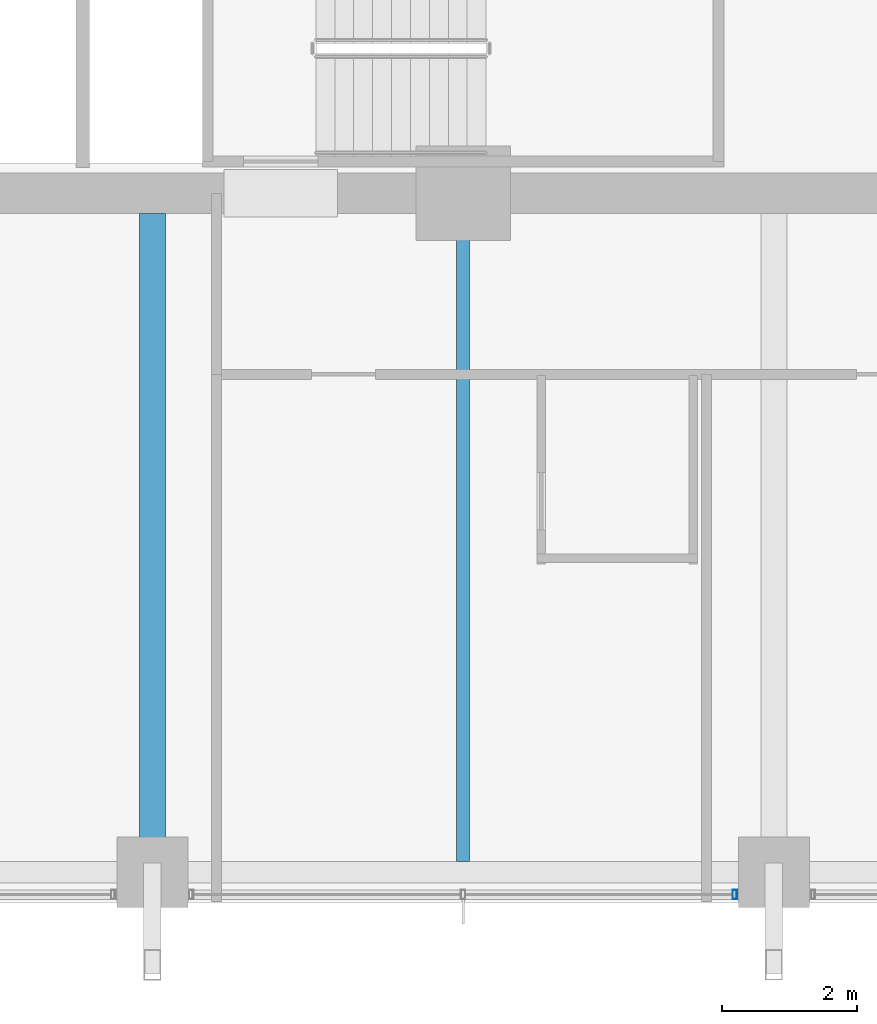
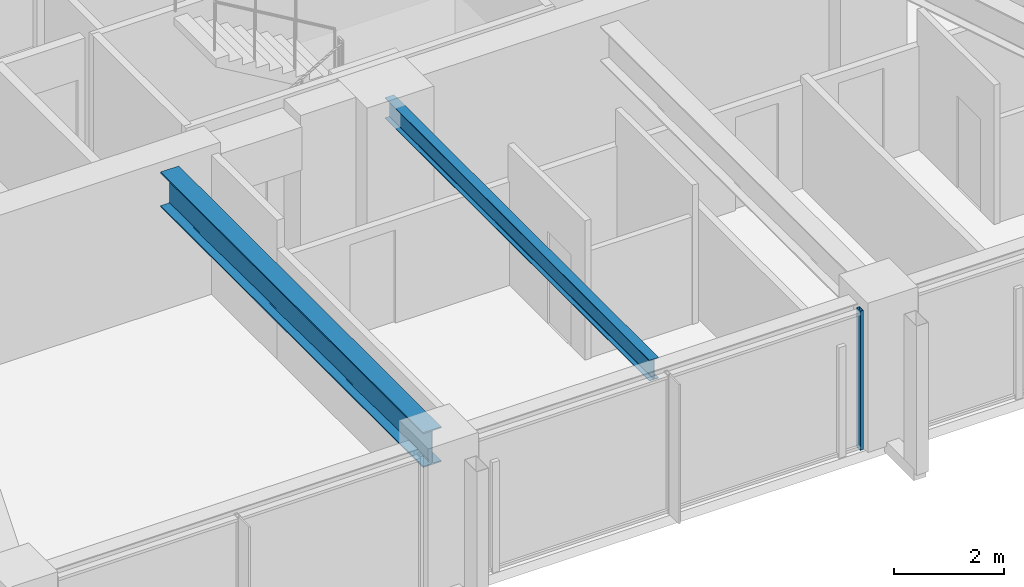
# One storey, part 5 of 37: 2 beams, 1 member, 1 element without a shape of its own.
"""IFC4 building model written with IfcOpenShell, lengths in metres."""

import ifcopenshell
import ifcopenshell.guid

model = None  # the IFC model being written
_history = None  # IfcOwnerHistory: only IFC2X3 demands one
_inside = {}  # id of a spatial element -> (the spatial element, [elements in it])
_under = {}  # id of a project, library or spatial element -> (it, [spatial elements below it])
_declared = {}  # id of a project -> (the project, [libraries it declares])
_typed = {}  # id of a type object -> (the type object, [elements of that type])
_made_of = {}  # id of a material, layer set ... -> (it, [elements and type objects made of it])


def new_model(schema):
    """Start an empty IFC model of exactly this schema.

    Asked for "IFC4X3", IfcOpenShell would pick the latest addendum, in which some entities
    have other attributes; the version numbers below select the first issue.
    IFC2X3 requires an IfcOwnerHistory on every rooted entity: one is made here for all.
    """
    global model, _history
    if schema == "IFC4X3":
        model = ifcopenshell.file(schema_version=(4, 3, 0, 0))
    else:
        model = ifcopenshell.file(schema=schema)
    _inside.clear()
    _under.clear()
    _declared.clear()
    _typed.clear()
    _made_of.clear()
    _history = None
    if model.schema == "IFC2X3":
        org = make("IfcOrganization", Name="unknown")
        user = make(
            "IfcPersonAndOrganization",
            ThePerson=make("IfcPerson", FamilyName="unknown"),
            TheOrganization=org,
        )
        app = make(
            "IfcApplication",
            ApplicationDeveloper=org,
            Version="unknown",
            ApplicationFullName="unknown",
            ApplicationIdentifier="unknown",
        )
        _history = make(
            "IfcOwnerHistory",
            OwningUser=user,
            OwningApplication=app,
            ChangeAction="ADDED",
            CreationDate=0,
        )
    return model


def make(cls, **values):
    """One entity of the class cls with the attributes given. An attribute that is None is left unset."""
    return model.create_entity(
        cls, **{name: value for name, value in values.items() if value is not None}
    )


def rooted(cls, **values):
    """An entity with a GlobalId (a new one), such as an element, a storey or a relation."""
    return make(cls, GlobalId=ifcopenshell.guid.new(), OwnerHistory=_history, **values)


def si_unit(unit_type, name, prefix=None):
    """IfcSIUnit, for example si_unit("LENGTHUNIT", "METRE", prefix="MILLI")."""
    return make("IfcSIUnit", UnitType=unit_type, Prefix=prefix, Name=name)


def assignment(units):
    """IfcUnitAssignment: the units of a project."""
    return None if units is None else make("IfcUnitAssignment", Units=units)


def point(xyz):
    """IfcCartesianPoint."""
    return None if xyz is None else make("IfcCartesianPoint", Coordinates=xyz)


def direction(xyz):
    """IfcDirection."""
    return None if xyz is None else make("IfcDirection", DirectionRatios=xyz)


def frame(location, z_axis=None, x_axis=None):
    """IfcAxis2Placement3D, a coordinate frame: its origin and axes. An axis left out is left unset."""
    return make(
        "IfcAxis2Placement3D",
        Location=point(location),
        Axis=direction(z_axis),
        RefDirection=direction(x_axis),
    )


def frame_2d(location, x_axis=None):
    """IfcAxis2Placement2D, a coordinate frame in the plane: its origin and x axis."""
    return make(
        "IfcAxis2Placement2D", Location=point(location), RefDirection=direction(x_axis)
    )


def origin():
    """The frame at (0, 0, 0) with its axes left unset."""
    return frame((0.0, 0.0, 0.0))


def origin_2d():
    """The frame at (0, 0) in the plane with its x axis left unset."""
    return frame_2d((0.0, 0.0))


def place(relative_to, where):
    """IfcLocalPlacement: puts the frame where relative to a parent placement (None: the world)."""
    return make(
        "IfcLocalPlacement", PlacementRelTo=relative_to, RelativePlacement=where
    )


def context(
    kind, dimensions, precision=None, world=None, true_north=None, identifier=None
):
    """IfcGeometricRepresentationContext, for example the 3D "Model" context."""
    return make(
        "IfcGeometricRepresentationContext",
        ContextIdentifier=identifier,
        ContextType=kind,
        CoordinateSpaceDimension=dimensions,
        Precision=precision,
        WorldCoordinateSystem=world,
        TrueNorth=true_north,
    )


def subcontext(parent, identifier, kind, view, scale=None):
    """IfcGeometricRepresentationSubContext, for example "Body" below "Model"."""
    return make(
        "IfcGeometricRepresentationSubContext",
        ContextIdentifier=identifier,
        ContextType=kind,
        ParentContext=parent,
        TargetScale=scale,
        TargetView=view,
    )


def project(units=None, contexts=None):
    """IfcProject with its units and contexts."""
    return rooted(
        "IfcProject",
        Name="project",
        RepresentationContexts=contexts,
        UnitsInContext=assignment(units),
    )


def spatial(cls, under=None, at=None, **own):
    """A site, building, storey or space (cls), placed at a placement, below another one or the project."""
    s = rooted(cls, ObjectPlacement=at, **own)
    if under is not None:
        _under.setdefault(under.id(), (under, []))[1].append(s)
    return s


def profile(cls, at=None, kind="AREA", **sizes):
    """A parametric profile (cls). Its sizes go by their IFC names, for example OverallWidth=200.0."""
    return make(cls, ProfileType=kind, Position=at, **sizes)


def hollow_rectangle(**sizes):
    """IfcRectangleHollowProfileDef."""
    return profile("IfcRectangleHollowProfileDef", **sizes)


def i_section(**sizes):
    """IfcIShapeProfileDef."""
    return profile("IfcIShapeProfileDef", **sizes)


def extrude(swept, where, along, depth):
    """IfcExtrudedAreaSolid: the profile swept, set in the frame where, extruded along a direction by depth."""
    return make(
        "IfcExtrudedAreaSolid",
        SweptArea=swept,
        Position=where,
        ExtrudedDirection=direction(along),
        Depth=depth,
    )


def shape(context_of_items, identifier, shape_type, items):
    """IfcShapeRepresentation: the items that make up one representation, for example the "Body"."""
    return make(
        "IfcShapeRepresentation",
        ContextOfItems=context_of_items,
        RepresentationIdentifier=identifier,
        RepresentationType=shape_type,
        Items=items,
    )


def material(Name=None, Category=None):
    """IfcMaterial."""
    return make("IfcMaterial", Name=Name, Category=Category)


def material_profile(
    of_material, cross_section, Name=None, Category=None, Priority=None
):
    """IfcMaterialProfile: a cross section and its material."""
    return make(
        "IfcMaterialProfile",
        Name=Name,
        Material=of_material,
        Profile=cross_section,
        Priority=Priority,
        Category=Category,
    )


def profile_set(profiles, Name=None, composite=None):
    """IfcMaterialProfileSet."""
    return make(
        "IfcMaterialProfileSet",
        Name=Name,
        MaterialProfiles=profiles,
        CompositeProfile=composite,
    )


def made_of(thing, what):
    """Note that an element or type object is made of a material, layer set ...; save() writes the relation."""
    if what is not None:
        _made_of.setdefault(what.id(), (what, []))[1].append(thing)
    return thing


def type_object(cls, material=None, **own):
    """A type object (cls), such as IfcWallType, which elements share."""
    return made_of(rooted(cls, **own), material)


def element(
    cls,
    number,
    at=None,
    inside=None,
    cuts=None,
    type_object=None,
    material=None,
    context=None,
    identifier="Body",
    shape_type=None,
    held_by="IfcProductDefinitionShape",
    body=None,
    shapes=None,
    **own,
):
    """One element of the class cls, such as IfcWall. Its Tag is "e" and its number.

    at: its placement. inside: the storey or other place that contains it. cuts: it is an
    opening in that element (IfcRelVoidsElement). A single representation is given by context,
    identifier, shape_type and body (its items); several are given by shapes. held_by: the class
    of the entity that holds the representations. save() writes the other relations.
    """
    e = rooted(cls, Tag="e%d" % number, ObjectPlacement=at, **own)
    if body is not None:
        shapes = [shape(context, identifier, shape_type, body)]
    if shapes is not None:
        e.Representation = make(held_by, Representations=shapes)
    if inside is not None:
        _inside.setdefault(inside.id(), (inside, []))[1].append(e)
    if cuts is not None:
        rooted(
            "IfcRelVoidsElement", RelatingBuildingElement=cuts, RelatedOpeningElement=e
        )
    if type_object is not None:
        _typed.setdefault(type_object.id(), (type_object, []))[1].append(e)
    return made_of(e, material)


def aggregate(whole, parts):
    """IfcRelAggregates: a whole, such as a stair, and the parts it consists of."""
    return rooted("IfcRelAggregates", RelatingObject=whole, RelatedObjects=parts)


def save(model, path):
    """Write the relations noted so far, then the file.

    IfcRelAggregates (storeys below a building ...), IfcRelContainedInSpatialStructure (elements
    in a storey), IfcRelDefinesByType, IfcRelAssociatesMaterial and IfcRelDeclares: one each for
    every whole, place, type object, material and project.
    """
    for whole, parts in _under.values():
        aggregate(whole, parts)
    for where, things in _inside.values():
        rooted(
            "IfcRelContainedInSpatialStructure",
            RelatedElements=things,
            RelatingStructure=where,
        )
    for kind, things in _typed.values():
        rooted("IfcRelDefinesByType", RelatedObjects=things, RelatingType=kind)
    for what, things in _made_of.values():
        rooted("IfcRelAssociatesMaterial", RelatedObjects=things, RelatingMaterial=what)
    for by, libraries in _declared.values():
        rooted("IfcRelDeclares", RelatingContext=by, RelatedDefinitions=libraries)
    model.write(path)


model = new_model("IFC4")

# Units and contexts
model_context = context("Model", 3, precision=1e-05, world=origin(), true_north=direction((0.0, 1.0)))
body_context = subcontext(model_context, "Body", "Model", "MODEL_VIEW")
ifc_project = project(units=[si_unit("LENGTHUNIT", "METRE"), si_unit("AREAUNIT", "SQUARE_METRE"), si_unit("VOLUMEUNIT", "CUBIC_METRE"), si_unit("PLANEANGLEUNIT", "RADIAN"), si_unit("MASSUNIT", "GRAM", prefix="KILO")], contexts=[model_context])

# Site, building, storey
site_placement = place(None, origin())
site = spatial("IfcSite", under=ifc_project, at=site_placement, CompositionType="ELEMENT")
building_placement = place(site_placement, origin())
building = spatial("IfcBuilding", under=site, at=building_placement, Name="Kolvaren Belvedere", CompositionType="ELEMENT")
storey_placement = place(building_placement, frame((0.0, 0.0, 75.5)))
storey = spatial("IfcBuildingStorey", under=building, at=storey_placement, Name="L21", CompositionType="ELEMENT", Elevation=75.5)

# Beams
ifc_material_1 = material(Name="Structural steel ASTM A992 Grade 50", Category="steel")
ifc_material_profile_1 = material_profile(ifc_material_1, i_section(OverallWidth=0.381103515625, OverallDepth=0.77294921875, WebThickness=0.0166015625, FlangeThickness=0.027099609375, FilletRadius=0.02392578125, at=origin_2d()), Name="W30X173")
ifc_profile_set_1 = profile_set([ifc_material_profile_1], Name="Structural steel ASTM A992 Grade 50")
beam_type_1 = type_object("IfcBeamType", Name="BM-GIRD-W30X173", PredefinedType="BEAM", material=ifc_profile_set_1)
beam_1_placement = place(storey_placement, frame((-4.60009765625, -10.199951171875, 2.693603515625), z_axis=(0.0, -1.0, 0.0), x_axis=(1.0, 0.0, 0.0)))
element("IfcBeam", 1, at=beam_1_placement, inside=storey, type_object=beam_type_1, Name="L21 South Radial Girder M", PredefinedType="BEAM", context=body_context, shape_type="SweptSolid", body=[
    extrude(i_section(OverallWidth=0.381103515625, OverallDepth=0.77294921875, WebThickness=0.0166015625, FlangeThickness=0.027099609375, FilletRadius=0.02392578125, at=origin_2d()), origin(), (0.0, 0.0, 1.0), 9.513916015625),
])
ifc_material_2 = material(Name="Structural steel ASTM A992 Grade 50", Category="steel")
ifc_material_profile_2 = material_profile(ifc_material_2, i_section(OverallWidth=0.19091796875, OverallDepth=0.4599609375, WebThickness=0.010009765625, FlangeThickness=0.01611328125, FilletRadius=0.014892578125, at=origin_2d()), Name="W18X55")
ifc_profile_set_2 = profile_set([ifc_material_profile_2], Name="Structural steel ASTM A992 Grade 50")
beam_type_2 = type_object("IfcBeamType", Name="BM-JOIST-W18X55", PredefinedType="BEAM", material=ifc_profile_set_2)
beam_2_placement = place(storey_placement, frame((0.0, -10.199951171875, 2.85009765625), z_axis=(0.0, -1.0, 0.0), x_axis=(1.0, 0.0, 0.0)))
element("IfcBeam", 2, at=beam_2_placement, inside=storey, type_object=beam_type_2, Name="L21 South Centre Floor Beam", PredefinedType="BEAM", context=body_context, shape_type="SweptSolid", body=[
    extrude(i_section(OverallWidth=0.19091796875, OverallDepth=0.4599609375, WebThickness=0.010009765625, FlangeThickness=0.01611328125, FilletRadius=0.014892578125, at=origin_2d()), origin(), (0.0, 0.0, 1.0), 9.587646484375),
])

# Curtain wall, member
ifc_material_3 = material(Name="Anodised pale-metal aluminium AA 6063-T6", Category="aluminium")
curtain_wall_type = type_object("IfcCurtainWallType", Name="CW-Z2-MID", PredefinedType="NOTDEFINED", material=ifc_material_3)
curtain_wall_placement = place(storey_placement, origin())
curtain_wall = element("IfcCurtainWall", 3, at=curtain_wall_placement, inside=storey, type_object=curtain_wall_type, Name="L21 Unitised Curtain Wall FCW-L21-S-B2", PredefinedType="NOTDEFINED")
ifc_material_4 = material(Name="Anodised pale-metal aluminium AA 6063-T6", Category="aluminium")
ifc_material_profile_3 = material_profile(ifc_material_4, hollow_rectangle(XDim=0.06494140625, YDim=0.139892578125, WallThickness=0.00390625, at=origin_2d()), Name="ALU-MUL-140X65")
ifc_profile_set_3 = profile_set([ifc_material_profile_3], Name="Anodised pale-metal aluminium AA 6063-T6")
member_type = type_object("IfcMemberType", Name="CW-MUL-140", PredefinedType="MULLION", material=ifc_profile_set_3)
member_placement = place(storey_placement, frame((4.0224609375, -20.280029296875, 0.0), z_axis=(0.0, 0.0, 1.0), x_axis=(1.0, 0.0, 0.0)))
member = element("IfcMember", 4, at=member_placement, type_object=member_type, Name="FCW-L21-S-B2 Unitised Mullion 1", PredefinedType="MULLION", context=body_context, shape_type="SweptSolid", body=[
    extrude(hollow_rectangle(XDim=0.06494140625, YDim=0.139892578125, WallThickness=0.00390625, at=origin_2d()), origin(), (0.0, 0.0, 1.0), 3.080078125),
])
aggregate(curtain_wall, [member])

save(model, "model.ifc")
